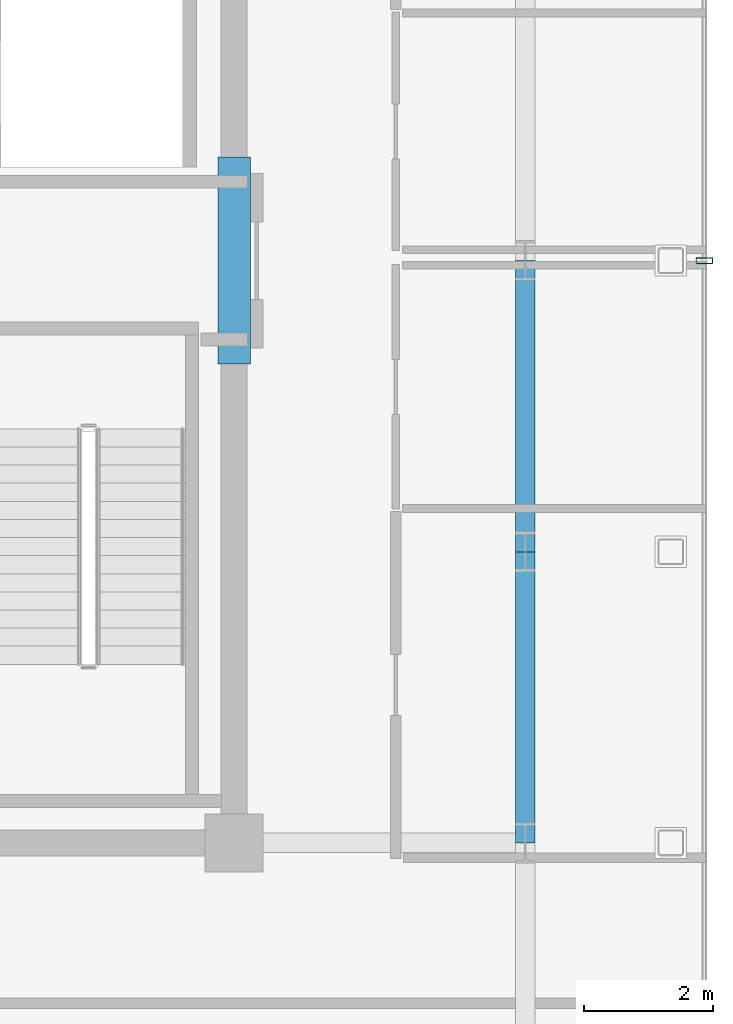
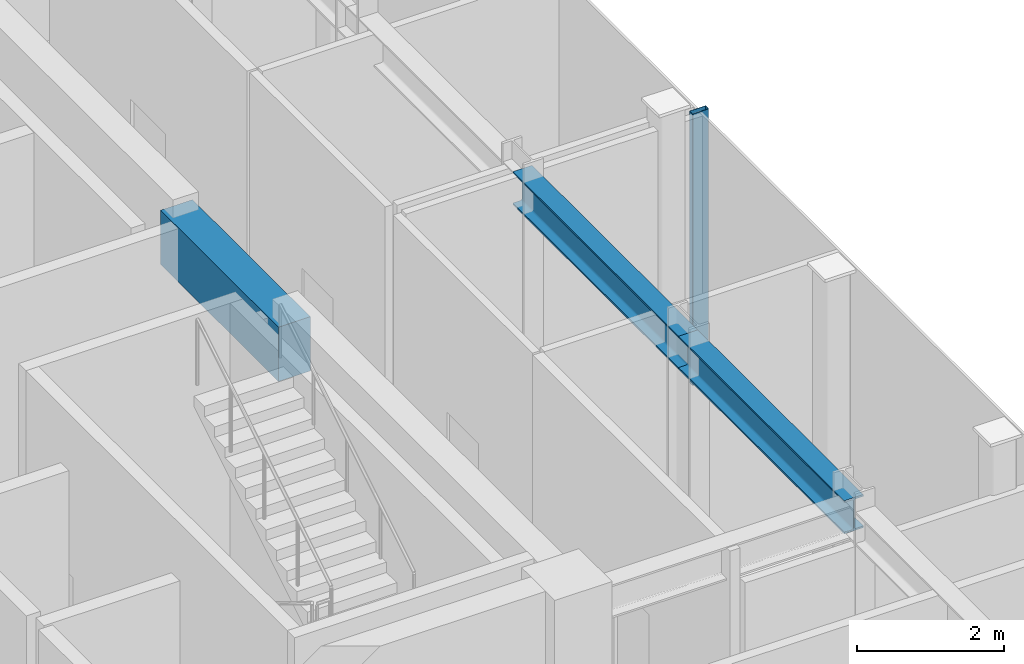
# One storey, part 7 of 17: 3 beams, 1 member, 1 element without a shape of its own.
"""IFC4 building model written with IfcOpenShell, lengths in metres."""

from ifc_helpers import new_model, si_unit, direction, frame, origin, origin_2d, place, context, subcontext, project, spatial, rectangle, hollow_rectangle, i_section, extrude, source, transform, mapped, material, layer, layer_set, material_profile, profile_set, type_object, element, aggregate, save


model = new_model("IFC4")

# Units and contexts
model_context = context("Model", 3, precision=1e-05, world=origin(), true_north=direction((0.0, 1.0)))
body_context = subcontext(model_context, "Body", "Model", "MODEL_VIEW")
ifc_project = project(units=[si_unit("LENGTHUNIT", "METRE"), si_unit("AREAUNIT", "SQUARE_METRE"), si_unit("VOLUMEUNIT", "CUBIC_METRE"), si_unit("PLANEANGLEUNIT", "RADIAN"), si_unit("MASSUNIT", "GRAM", prefix="KILO")], contexts=[model_context])

# Site, building, storey
site_placement = place(None, origin())
site = spatial("IfcSite", under=ifc_project, at=site_placement, CompositionType="ELEMENT")
building_placement = place(site_placement, origin())
building = spatial("IfcBuilding", under=site, at=building_placement, Name="Nefas-Gora Pilgrimage Tower", CompositionType="ELEMENT")
storey_placement = place(building_placement, frame((0.0, 0.0, 353.800048828125)))
storey = spatial("IfcBuildingStorey", under=building, at=storey_placement, Name="L89", CompositionType="ELEMENT", Elevation=353.800048828125)

# Beams
ifc_material_1 = material(Name="Concrete C50/60", Category="concrete")
ifc_material_profile_1 = material_profile(ifc_material_1, rectangle(XDim=0.5, YDim=0.89990234375, at=origin_2d()), Name="RC 500x900")
ifc_profile_set_1 = profile_set([ifc_material_profile_1], Name="Concrete C50/60")
beam_type_1 = type_object("IfcBeamType", Name="BM-LIN-RC900", PredefinedType="LINTEL", material=ifc_profile_set_1)
shared_shape_1 = source(origin(), body_context, "Body", "SweptSolid", [
    extrude(rectangle(XDim=0.5, YDim=0.89990234375, at=origin_2d()), origin(), (0.0, 0.0, 1.0), 3.2001953125),
])
beam_placement = place(storey_placement, frame((11.25, -1.60009765625, 4.050048828125), z_axis=(0.0, 1.0, 0.0), x_axis=(-1.0, 0.0, 0.0)))
element("IfcBeam", 1, at=beam_placement, inside=storey, type_object=beam_type_1, Name="L89 Core Coupling Lintel Beam E", PredefinedType="LINTEL", context=body_context, shape_type="MappedRepresentation", body=[
    mapped(shared_shape_1, transform((0.0, 0.0, 0.0), x_axis=(1.0, 0.0, 0.0), y_axis=(0.0, 1.0, 0.0), z_axis=(0.0, 0.0, 1.0), scale=1.0)),
])
ifc_material_2 = material(Name="Steel S355", Category="steel")
ifc_material_profile_2 = material_profile(ifc_material_2, i_section(OverallWidth=0.300048828125, OverallDepth=0.550048828125, WebThickness=0.014892578125, FlangeThickness=0.029052734375, FilletRadius=0.027099609375, at=origin_2d()), Name="HEB 550")
ifc_profile_set_2 = profile_set([ifc_material_profile_2], Name="Steel S355")
beam_type_2 = type_object("IfcBeamType", Name="BM-GIR-HEB550", PredefinedType="BEAM", material=ifc_profile_set_2)
shared_shape_2 = source(origin(), body_context, "Body", "SweptSolid", [
    extrude(i_section(OverallWidth=0.300048828125, OverallDepth=0.550048828125, WebThickness=0.014892578125, FlangeThickness=0.029052734375, FilletRadius=0.027099609375, at=origin_2d()), origin(), (0.0, 0.0, 1.0), 4.5),
])
for number, where, z_axis, x_axis, name in (
    (2, (15.75, -9.0, 4.224853515625), (0.0, 1.0, 0.0), (-1.0, 0.0, 0.0), "L89 G-05 beam"),
    (3, (15.75, -4.5, 4.224853515625), (0.0, 1.0, 0.0), (-1.0, 0.0, 0.0), "L89 G-05 beam"),
):
    element("IfcBeam", number, at=place(storey_placement, frame(where, z_axis=z_axis, x_axis=x_axis)), inside=storey, type_object=beam_type_2, Name=name, PredefinedType="BEAM", context=body_context, shape_type="MappedRepresentation", body=[
        mapped(shared_shape_2, transform((0.0, 0.0, 0.0), x_axis=(1.0, 0.0, 0.0), y_axis=(0.0, 1.0, 0.0), z_axis=(0.0, 0.0, 1.0), scale=1.0)),
    ])

# Curtain wall, member
ifc_material_3 = material(Name="Dark ceramic-fritted solar-control aluminium-glass curtain wall", Category="aluminium")
ifc_layer = layer(ifc_material_3, 0.219970703125)
ifc_layer_set = layer_set([ifc_layer], Name="Dark ceramic-fritted solar-control aluminium-glass curtain wall")
curtain_wall_type = type_object("IfcCurtainWallType", Name="CW-SYS-6", PredefinedType="NOTDEFINED", material=ifc_layer_set)
curtain_wall_placement = place(storey_placement, origin())
curtain_wall = element("IfcCurtainWall", 4, at=curtain_wall_placement, inside=storey, type_object=curtain_wall_type, Name="L89 Unitised Curtain Wall CW6", PredefinedType="NOTDEFINED")
ifc_material_4 = material(Name="Anodised architectural aluminium", Category="aluminium")
ifc_material_profile_3 = material_profile(ifc_material_4, hollow_rectangle(XDim=0.090087890625, YDim=0.260009765625, WallThickness=0.006103515625, InnerFilletRadius=0.006103515625, OuterFilletRadius=0.011962890625, at=origin_2d()), Name="ALU MULLION 90x260")
ifc_profile_set_3 = profile_set([ifc_material_profile_3], Name="Anodised architectural aluminium")
member_type = type_object("IfcMemberType", Name="CWM-MUL-6", PredefinedType="MULLION", material=ifc_profile_set_3)
shared_shape_3 = source(origin(), body_context, "Body", "SweptSolid", [
    extrude(hollow_rectangle(XDim=0.090087890625, YDim=0.260009765625, WallThickness=0.006103515625, InnerFilletRadius=0.006103515625, OuterFilletRadius=0.011962890625, at=origin_2d()), origin(), (0.0, 0.0, 1.0), 4.5),
])
member_placement = place(storey_placement, frame((18.52001953125, 0.0, 0.0), z_axis=(0.0, 0.0, 1.0), x_axis=(0.0, 1.0, 0.0)))
member = element("IfcMember", 5, at=member_placement, type_object=member_type, Name="CW6 Mullion 2", PredefinedType="MULLION", context=body_context, shape_type="MappedRepresentation", body=[
    mapped(shared_shape_3, transform((0.0, 0.0, 0.0), x_axis=(1.0, 0.0, 0.0), y_axis=(0.0, 1.0, 0.0), z_axis=(0.0, 0.0, 1.0), scale=1.0)),
])
aggregate(curtain_wall, [member])

save(model, "model.ifc")
